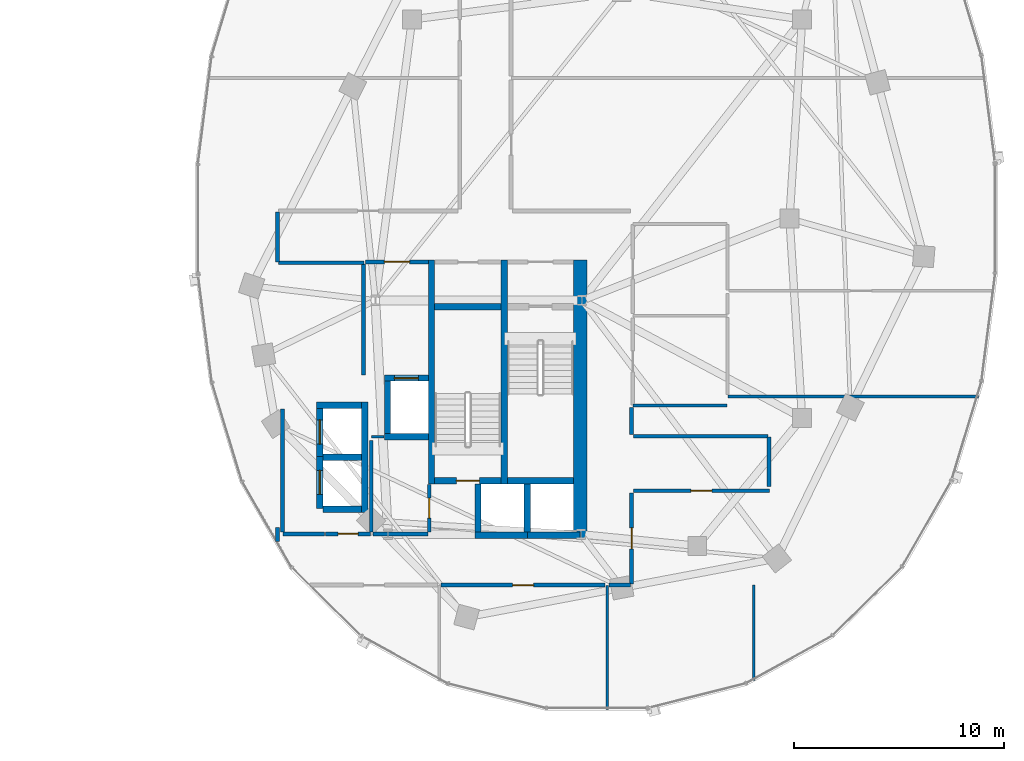
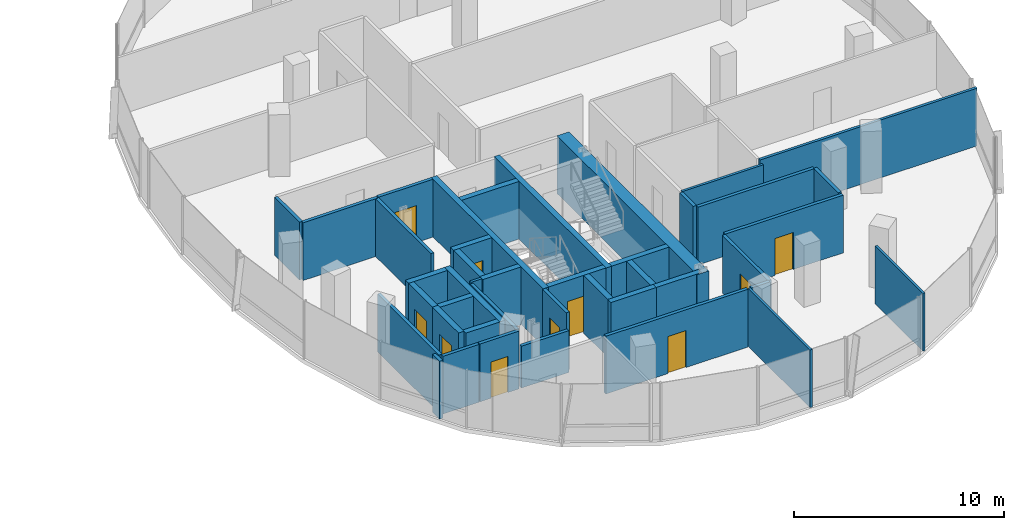
# One storey, part 14 of 23: 42 walls, 10 doors, 10 openings.
"""IFC4 building model written with IfcOpenShell, lengths in metres."""

from ifc_helpers import new_model, si_unit, direction, frame, frame_2d, origin, place, context, subcontext, project, spatial, rectangle, extrude, material, layer, layer_set, type_object, element, fill, save


model = new_model("IFC4")

# Units and contexts
model_context = context("Model", 3, precision=1e-05, world=origin(), true_north=direction((0.0, 1.0)))
body_context = subcontext(model_context, "Body", "Model", "MODEL_VIEW")
ifc_project = project(units=[si_unit("LENGTHUNIT", "METRE"), si_unit("AREAUNIT", "SQUARE_METRE"), si_unit("VOLUMEUNIT", "CUBIC_METRE"), si_unit("PLANEANGLEUNIT", "RADIAN"), si_unit("MASSUNIT", "GRAM", prefix="KILO"), si_unit("THERMODYNAMICTEMPERATUREUNIT", "KELVIN"), si_unit("POWERUNIT", "WATT")], contexts=[model_context])

# Site, building, storey
site_placement = place(None, origin())
site = spatial("IfcSite", under=ifc_project, at=site_placement, CompositionType="ELEMENT")
building_placement = place(site_placement, origin())
building = spatial("IfcBuilding", under=site, at=building_placement, Name="Cundina Bronze Exchange", CompositionType="ELEMENT")
storey_placement = place(building_placement, frame((0.0, 0.0, 172.800048828125)))
storey = spatial("IfcBuildingStorey", under=building, at=storey_placement, Name="L45", CompositionType="ELEMENT", Elevation=172.800048828125)

# Wall
ifc_material_1 = material(Name="Gypsum Fireboard Partition EI120")
ifc_layer_1 = layer(ifc_material_1, 0.179931640625, Name="Gypsum Fireboard Partition EI120")
ifc_layer_set_1 = layer_set([ifc_layer_1], Name="Gypsum Fireboard Partition EI120")
wall_type_1 = type_object("IfcWallType", Name="WL-COR-180", PredefinedType="PARTITIONING", material=ifc_layer_set_1)
wall_1_placement = place(storey_placement, frame((20.889892578125, -7.449951171875, 0.0), z_axis=(0.0, 0.0, 1.0), x_axis=(0.0, 1.0, 0.0)))
element("IfcWall", 1, at=wall_1_placement, inside=storey, type_object=wall_type_1, Name="L45 E Firefighting Lobby Side Wall", PredefinedType="PARTITIONING", context=body_context, shape_type="SweptSolid", body=[
    extrude(rectangle(XDim=5.300048828125, YDim=0.179931640625, at=frame_2d((2.64990234375, 0.0))), origin(), (0.0, 0.0, 1.0), 3.35986328125),
])

# Wall, opening, door
wall_2_placement = place(storey_placement, frame((20.97998046875, -2.06005859375, 0.0), z_axis=(0.0, 0.0, 1.0), x_axis=(1.0, 0.0, 0.0)))
wall_2 = element("IfcWall", 2, at=wall_2_placement, inside=storey, type_object=wall_type_1, Name="L45 E Firefighting Lobby Exit Wall", PredefinedType="PARTITIONING", context=body_context, shape_type="SweptSolid", body=[
    extrude(rectangle(XDim=3.0, YDim=0.179931640625, at=frame_2d((1.5, 0.0))), origin(), (0.0, 0.0, 1.0), 3.35986328125),
])
opening_1_placement = place(wall_2_placement, frame((0.89990234375, 0.0, 0.0)))
opening_1 = element("IfcOpeningElement", 3, at=opening_1_placement, cuts=wall_2, Name="Opening DF-01", PredefinedType="OPENING", context=body_context, shape_type="SweptSolid", body=[
    extrude(rectangle(XDim=1.199951171875, YDim=2.14990234375, at=frame_2d((0.60009765625, 1.074951171875))), frame((0.0, 0.099853515625, 0.0), z_axis=(0.0, -1.0, 0.0), x_axis=(1.0, 0.0, 0.0)), (0.0, 0.0, 1.0), 0.199951171875),
])
ifc_material_2 = material(Name="Steel ASTM A36 Painted", Category="steel")
door_type_1 = type_object("IfcDoorType", Name="DR-FFL-1200", OperationType="NOTDEFINED", PredefinedType="DOOR", material=ifc_material_2)
door_1_placement = place(opening_1_placement, origin())
door_1 = element("IfcDoor", 4, at=door_1_placement, inside=storey, type_object=door_type_1, Name="L45 E Firefighting Lobby Door", OperationType="SINGLE_SWING_LEFT", OverallHeight=2.14990234375, OverallWidth=1.199951171875, PredefinedType="DOOR", context=body_context, shape_type="SweptSolid", body=[
    extrude(rectangle(XDim=1.199951171875, YDim=2.14990234375, at=frame_2d((0.60009765625, 1.074951171875))), frame((0.0, 0.02490234375, 0.0), z_axis=(0.0, -1.0, 0.0), x_axis=(1.0, 0.0, 0.0)), (0.0, 0.0, 1.0), 0.050048828125),
])
fill(opening_1, door_1)

# Walls
wall_3_placement = place(storey_placement, frame((17.02001953125, -14.929931640625, 0.0), z_axis=(0.0, 0.0, 1.0), x_axis=(0.0, 1.0, 0.0)))
element("IfcWall", 5, at=wall_3_placement, inside=storey, type_object=wall_type_1, Name="L45 Interior Partition 045", PredefinedType="PARTITIONING", context=body_context, shape_type="SweptSolid", body=[
    extrude(rectangle(XDim=5.85986328125, YDim=0.179931640625, at=frame_2d((2.929931640625, 0.0))), origin(), (0.0, 0.0, 1.0), 3.35986328125),
])
wall_4_placement = place(storey_placement, frame((17.0400390625, -15.030029296875, 0.0), z_axis=(0.0, 0.0, 1.0), x_axis=(1.0, 0.0, 0.0)))
element("IfcWall", 6, at=wall_4_placement, inside=storey, type_object=wall_type_1, Name="L45 Interior Partition 046", PredefinedType="PARTITIONING", context=body_context, shape_type="SweptSolid", body=[
    extrude(rectangle(XDim=1.989990234375, YDim=0.179931640625, at=frame_2d((0.9951171875, 0.0))), origin(), (0.0, 0.0, 1.0), 3.35986328125),
])

# Wall, opening, door
wall_5_placement = place(storey_placement, frame((21.22998046875, -15.030029296875, 0.0), z_axis=(0.0, 0.0, 1.0), x_axis=(-1.0, 0.0, 0.0)))
wall_5 = element("IfcWall", 7, at=wall_5_placement, inside=storey, type_object=wall_type_1, Name="L45 Interior Partition 047", PredefinedType="PARTITIONING", context=body_context, shape_type="SweptSolid", body=[
    extrude(rectangle(XDim=2.159912109375, YDim=0.179931640625, at=frame_2d((1.080078125, 0.0))), origin(), (0.0, 0.0, 1.0), 3.35986328125),
])
opening_2_placement = place(wall_5_placement, frame((0.60498046875, 0.0, 0.0)))
opening_2 = element("IfcOpeningElement", 8, at=opening_2_placement, cuts=wall_5, Name="Opening DW-01", PredefinedType="OPENING", context=body_context, shape_type="SweptSolid", body=[
    extrude(rectangle(XDim=0.949951171875, YDim=2.10009765625, at=frame_2d((0.47509765625, 1.050048828125))), frame((0.0, 0.099853515625, 0.0), z_axis=(0.0, -1.0, 0.0), x_axis=(1.0, 0.0, 0.0)), (0.0, 0.0, 1.0), 0.199951171875),
])
ifc_material_3 = material(Name="Solid Andean Oak Timber Grade A", Category="wood")
door_type_2 = type_object("IfcDoorType", Name="DR-WC-950", OperationType="NOTDEFINED", PredefinedType="DOOR", material=ifc_material_3)
door_2_placement = place(opening_2_placement, origin())
door_2 = element("IfcDoor", 9, at=door_2_placement, inside=storey, type_object=door_type_2, Name="L45 Interior Door 047", OperationType="SINGLE_SWING_LEFT", OverallHeight=2.10009765625, OverallWidth=0.949951171875, PredefinedType="DOOR", context=body_context, shape_type="SweptSolid", body=[
    extrude(rectangle(XDim=0.949951171875, YDim=2.10009765625, at=frame_2d((0.47509765625, 1.050048828125))), frame((0.0, 0.02490234375, 0.0), z_axis=(0.0, -1.0, 0.0), x_axis=(1.0, 0.0, 0.0)), (0.0, 0.0, 1.0), 0.050048828125),
])
fill(opening_2, door_2)

# Walls
wall_6_placement = place(storey_placement, frame((21.25, -14.929931640625, 0.0), z_axis=(0.0, 0.0, 1.0), x_axis=(0.0, 1.0, 0.0)))
element("IfcWall", 10, at=wall_6_placement, inside=storey, type_object=wall_type_1, Name="L45 Interior Partition 049", PredefinedType="PARTITIONING", context=body_context, shape_type="SweptSolid", body=[
    extrude(rectangle(XDim=4.35986328125, YDim=0.179931640625, at=frame_2d((2.179931640625, 0.0))), origin(), (0.0, 0.0, 1.0), 3.35986328125),
])
wall_7_placement = place(storey_placement, frame((21.35009765625, -15.030029296875, 0.0), z_axis=(0.0, 0.0, 1.0), x_axis=(1.0, 0.0, 0.0)))
element("IfcWall", 11, at=wall_7_placement, inside=storey, type_object=wall_type_1, Name="L45 Interior Partition 050", PredefinedType="PARTITIONING", context=body_context, shape_type="SweptSolid", body=[
    extrude(rectangle(XDim=2.60986328125, YDim=0.179931640625, at=frame_2d((1.304931640625, 0.0))), origin(), (0.0, 0.0, 1.0), 2.432861328125),
])

# Wall, opening, door
wall_8_placement = place(storey_placement, frame((24.02001953125, -14.929931640625, 0.0), z_axis=(0.0, 0.0, 1.0), x_axis=(0.0, 1.0, 0.0)))
wall_8 = element("IfcWall", 12, at=wall_8_placement, inside=storey, type_object=wall_type_1, Name="L45 Interior Partition 052", PredefinedType="PARTITIONING", context=body_context, shape_type="SweptSolid", body=[
    extrude(rectangle(XDim=2.260009765625, YDim=0.179931640625, at=frame_2d((1.1298828125, 0.0))), origin(), (0.0, 0.0, 1.0), 3.35986328125),
])
opening_3_placement = place(wall_8_placement, frame((0.655029296875, 0.0, 0.0)))
opening_3 = element("IfcOpeningElement", 13, at=opening_3_placement, cuts=wall_8, Name="Opening DW-01", PredefinedType="OPENING", context=body_context, shape_type="SweptSolid", body=[
    extrude(rectangle(XDim=0.949951171875, YDim=2.10009765625, at=frame_2d((0.47509765625, 1.050048828125))), frame((0.0, 0.099853515625, 0.0), z_axis=(0.0, -1.0, 0.0), x_axis=(1.0, 0.0, 0.0)), (0.0, 0.0, 1.0), 0.199951171875),
])
door_3_placement = place(opening_3_placement, origin())
door_3 = element("IfcDoor", 14, at=door_3_placement, inside=storey, type_object=door_type_2, Name="L45 Interior Door 052", OperationType="SINGLE_SWING_LEFT", OverallHeight=2.10009765625, OverallWidth=0.949951171875, PredefinedType="DOOR", context=body_context, shape_type="SweptSolid", body=[
    extrude(rectangle(XDim=0.949951171875, YDim=2.10009765625, at=frame_2d((0.47509765625, 1.050048828125))), frame((0.0, 0.02490234375, 0.0), z_axis=(0.0, -1.0, 0.0), x_axis=(1.0, 0.0, 0.0)), (0.0, 0.0, 1.0), 0.050048828125),
])
fill(opening_3, door_3)

wall_9_placement = place(storey_placement, frame((24.590087890625, -17.469970703125, 0.0), z_axis=(0.0, 0.0, 1.0), x_axis=(1.0, 0.0, 0.0)))
wall_9 = element("IfcWall", 15, at=wall_9_placement, inside=storey, type_object=wall_type_1, Name="L45 Interior Partition 067", PredefinedType="PARTITIONING", context=body_context, shape_type="SweptSolid", body=[
    extrude(rectangle(XDim=7.81982421875, YDim=0.179931640625, at=frame_2d((3.909912109375, 0.0))), origin(), (0.0, 0.0, 1.0), 3.35986328125),
])
opening_4_placement = place(wall_9_placement, frame((3.409912109375, 0.0, 0.0)))
opening_4 = element("IfcOpeningElement", 16, at=opening_4_placement, cuts=wall_9, Name="Opening DO-01", PredefinedType="OPENING", context=body_context, shape_type="SweptSolid", body=[
    extrude(rectangle(XDim=1.0, YDim=2.14990234375, at=frame_2d((0.5, 1.074951171875))), frame((0.0, 0.099853515625, 0.0), z_axis=(0.0, -1.0, 0.0), x_axis=(1.0, 0.0, 0.0)), (0.0, 0.0, 1.0), 0.199951171875),
])
door_type_3 = type_object("IfcDoorType", Name="DR-OFF-1000", OperationType="NOTDEFINED", PredefinedType="DOOR", material=ifc_material_3)
door_4_placement = place(opening_4_placement, origin())
door_4 = element("IfcDoor", 17, at=door_4_placement, inside=storey, type_object=door_type_3, Name="L45 Interior Door 067", OperationType="SINGLE_SWING_RIGHT", OverallHeight=2.14990234375, OverallWidth=1.0, PredefinedType="DOOR", context=body_context, shape_type="SweptSolid", body=[
    extrude(rectangle(XDim=1.0, YDim=2.14990234375, at=frame_2d((0.5, 1.074951171875))), frame((0.0, 0.02490234375, 0.0), z_axis=(0.0, -1.0, 0.0), x_axis=(1.0, 0.0, 0.0)), (0.0, 0.0, 1.0), 0.050048828125),
])
fill(opening_4, door_4)

wall_10_placement = place(storey_placement, frame((33.669921875, -17.428466796875, 0.0), z_axis=(0.0, 0.0, 1.0), x_axis=(0.0, 1.0, 0.0)))
wall_10 = element("IfcWall", 18, at=wall_10_placement, inside=storey, type_object=wall_type_1, Name="L45 Interior Partition 069", PredefinedType="PARTITIONING", context=body_context, shape_type="SweptSolid", body=[
    extrude(rectangle(XDim=4.3583984375, YDim=0.179931640625, at=frame_2d((2.17919921875, 0.0))), origin(), (0.0, 0.0, 1.0), 3.35986328125),
])
opening_5_placement = place(wall_10_placement, frame((1.67919921875, 0.0, 0.0)))
opening_5 = element("IfcOpeningElement", 19, at=opening_5_placement, cuts=wall_10, Name="Opening DO-01", PredefinedType="OPENING", context=body_context, shape_type="SweptSolid", body=[
    extrude(rectangle(XDim=1.0, YDim=2.14990234375, at=frame_2d((0.5, 1.074951171875))), frame((0.0, 0.099853515625, 0.0), z_axis=(0.0, -1.0, 0.0), x_axis=(1.0, 0.0, 0.0)), (0.0, 0.0, 1.0), 0.199951171875),
])
door_5_placement = place(opening_5_placement, origin())
door_5 = element("IfcDoor", 20, at=door_5_placement, inside=storey, type_object=door_type_3, Name="L45 Interior Door 069", OperationType="SINGLE_SWING_LEFT", OverallHeight=2.14990234375, OverallWidth=1.0, PredefinedType="DOOR", context=body_context, shape_type="SweptSolid", body=[
    extrude(rectangle(XDim=1.0, YDim=2.14990234375, at=frame_2d((0.5, 1.074951171875))), frame((0.0, 0.02490234375, 0.0), z_axis=(0.0, -1.0, 0.0), x_axis=(1.0, 0.0, 0.0)), (0.0, 0.0, 1.0), 0.050048828125),
])
fill(opening_5, door_5)

# Wall
wall_11_placement = place(storey_placement, frame((32.590087890625, -17.469970703125, 0.0), z_axis=(0.0, 0.0, 1.0), x_axis=(1.0, 0.0, 0.0)))
element("IfcWall", 21, at=wall_11_placement, inside=storey, type_object=wall_type_1, Name="L45 Interior Partition 070", PredefinedType="PARTITIONING", context=body_context, shape_type="SweptSolid", body=[
    extrude(rectangle(XDim=1.038330078125, YDim=0.179931640625, at=frame_2d((0.51904296875, 0.0))), origin(), (0.0, 0.0, 1.0), 3.35986328125),
])

# Wall, opening, door
wall_12_placement = place(storey_placement, frame((40.238525390625, -12.969970703125, 0.0), z_axis=(0.0, 0.0, 1.0), x_axis=(-1.0, 0.0, 0.0)))
wall_12 = element("IfcWall", 22, at=wall_12_placement, inside=storey, type_object=wall_type_1, Name="L45 Interior Partition 071", PredefinedType="PARTITIONING", context=body_context, shape_type="SweptSolid", body=[
    extrude(rectangle(XDim=6.488525390625, YDim=0.179931640625, at=frame_2d((3.244140625, 0.0))), origin(), (0.0, 0.0, 1.0), 3.35986328125),
])
opening_6_placement = place(wall_12_placement, frame((2.744384765625, 0.0, 0.0)))
opening_6 = element("IfcOpeningElement", 23, at=opening_6_placement, cuts=wall_12, Name="Opening DO-01", PredefinedType="OPENING", context=body_context, shape_type="SweptSolid", body=[
    extrude(rectangle(XDim=1.0, YDim=2.14990234375, at=frame_2d((0.5, 1.074951171875))), frame((0.0, 0.099853515625, 0.0), z_axis=(0.0, -1.0, 0.0), x_axis=(1.0, 0.0, 0.0)), (0.0, 0.0, 1.0), 0.199951171875),
])
door_6_placement = place(opening_6_placement, origin())
door_6 = element("IfcDoor", 24, at=door_6_placement, inside=storey, type_object=door_type_3, Name="L45 Interior Door 071", OperationType="SINGLE_SWING_RIGHT", OverallHeight=2.14990234375, OverallWidth=1.0, PredefinedType="DOOR", context=body_context, shape_type="SweptSolid", body=[
    extrude(rectangle(XDim=1.0, YDim=2.14990234375, at=frame_2d((0.5, 1.074951171875))), frame((0.0, 0.02490234375, 0.0), z_axis=(0.0, -1.0, 0.0), x_axis=(1.0, 0.0, 0.0)), (0.0, 0.0, 1.0), 0.050048828125),
])
fill(opening_6, door_6)

# Walls
wall_13_placement = place(storey_placement, frame((40.178466796875, -10.3798828125, 0.0), z_axis=(0.0, 0.0, 1.0), x_axis=(-1.0, 0.0, 0.0)))
element("IfcWall", 25, at=wall_13_placement, inside=storey, type_object=wall_type_1, Name="L45 Interior Partition 072", PredefinedType="PARTITIONING", context=body_context, shape_type="SweptSolid", body=[
    extrude(rectangle(XDim=6.428466796875, YDim=0.179931640625, at=frame_2d((3.21435546875, 0.0))), origin(), (0.0, 0.0, 1.0), 3.35986328125),
])
wall_14_placement = place(storey_placement, frame((40.219970703125, -12.778564453125, 0.0), z_axis=(0.0, 0.0, 1.0), x_axis=(0.0, 1.0, 0.0)))
element("IfcWall", 26, at=wall_14_placement, inside=storey, type_object=wall_type_1, Name="L45 Interior Partition 073", PredefinedType="PARTITIONING", context=body_context, shape_type="SweptSolid", body=[
    extrude(rectangle(XDim=2.357177734375, YDim=0.179931640625, at=frame_2d((1.1787109375, 0.0))), origin(), (0.0, 0.0, 1.0), 3.35986328125),
])
wall_15_placement = place(storey_placement, frame((33.669921875, -10.300048828125, 0.0), z_axis=(0.0, 0.0, 1.0), x_axis=(0.0, 1.0, 0.0)))
element("IfcWall", 27, at=wall_15_placement, inside=storey, type_object=wall_type_1, Name="L45 Interior Partition 074", PredefinedType="PARTITIONING", context=body_context, shape_type="SweptSolid", body=[
    extrude(rectangle(XDim=1.298583984375, YDim=0.179931640625, at=frame_2d((0.6494140625, 0.0))), origin(), (0.0, 0.0, 1.0), 3.35986328125),
])
wall_16_placement = place(storey_placement, frame((16.821533203125, -2.10009765625, 0.0), z_axis=(0.0, 0.0, 1.0), x_axis=(1.0, 0.0, 0.0)))
element("IfcWall", 28, at=wall_16_placement, inside=storey, type_object=wall_type_1, Name="L45 Interior Partition 077", PredefinedType="PARTITIONING", context=body_context, shape_type="SweptSolid", body=[
    extrude(rectangle(XDim=4.098388671875, YDim=0.179931640625, at=frame_2d((2.04931640625, 0.0))), origin(), (0.0, 0.0, 1.0), 3.35986328125),
])
wall_17_placement = place(storey_placement, frame((16.780029296875, 0.32861328125, 0.0), z_axis=(0.0, 0.0, 1.0), x_axis=(0.0, -1.0, 0.0)))
element("IfcWall", 29, at=wall_17_placement, inside=storey, type_object=wall_type_1, Name="L45 Interior Partition 078", PredefinedType="PARTITIONING", context=body_context, shape_type="SweptSolid", body=[
    extrude(rectangle(XDim=2.38720703125, YDim=0.179931640625, at=frame_2d((1.193603515625, 0.0))), origin(), (0.0, 0.0, 1.0), 3.35986328125),
])
wall_18_placement = place(storey_placement, frame((16.780029296875, -14.721435546875, 0.0), z_axis=(0.0, 0.0, 1.0), x_axis=(0.0, -1.0, 0.0)))
element("IfcWall", 30, at=wall_18_placement, inside=storey, type_object=wall_type_1, Name="L45 Interior Partition 079", PredefinedType="PARTITIONING", context=body_context, shape_type="SweptSolid", body=[
    extrude(rectangle(XDim=0.68359375, YDim=0.179931640625, at=frame_2d((0.341796875, 0.0))), origin(), (0.0, 0.0, 1.0), 3.35986328125),
])
ifc_material_4 = material(Name="Concrete C50/60", Category="concrete")
ifc_layer_2 = layer(ifc_material_4, 0.64990234375, Name="Concrete C50/60", Category="concrete")
ifc_layer_set_2 = layer_set([ifc_layer_2], Name="Concrete C50/60")
wall_type_2 = type_object("IfcWallType", Name="WL-CORE-650", PredefinedType="SHEAR", material=ifc_layer_set_2)
wall_19_placement = place(storey_placement, frame((31.22509765625, -15.300048828125, 0.0), z_axis=(0.0, 0.0, 1.0), x_axis=(0.0, 1.0, 0.0)))
element("IfcWall", 31, at=wall_19_placement, inside=storey, type_object=wall_type_2, Name="L45 E Primary Core Shear Spine Wall", PredefinedType="SHEAR", context=body_context, shape_type="SweptSolid", body=[
    extrude(rectangle(XDim=13.330078125, YDim=0.64990234375, at=frame_2d((6.6650390625, 0.0))), origin(), (0.0, 0.0, 1.0), 3.35986328125),
])
ifc_material_5 = material(Name="Gypsum Acoustic Partition EI60")
ifc_layer_3 = layer(ifc_material_5, 0.125, Name="Gypsum Acoustic Partition EI60")
ifc_layer_set_3 = layer_set([ifc_layer_3], Name="Gypsum Acoustic Partition EI60")
wall_type_3 = type_object("IfcWallType", Name="WL-OFF-125", PredefinedType="PARTITIONING", material=ifc_layer_set_3)
wall_20_placement = place(storey_placement, frame((32.5, -23.402099609375, 0.0), z_axis=(0.0, 0.0, 1.0), x_axis=(0.0, 1.0, 0.0)))
element("IfcWall", 32, at=wall_20_placement, inside=storey, type_object=wall_type_3, Name="L45 Interior Partition 065", PredefinedType="PARTITIONING", context=body_context, shape_type="SweptSolid", body=[
    extrude(rectangle(XDim=5.902099609375, YDim=0.125, at=frame_2d((2.951171875, 0.0))), origin(), (0.0, 0.0, 1.0), 3.35986328125),
])
wall_21_placement = place(storey_placement, frame((39.5, -22.025146484375, 0.0), z_axis=(0.0, 0.0, 1.0), x_axis=(0.0, 1.0, 0.0)))
element("IfcWall", 33, at=wall_21_placement, inside=storey, type_object=wall_type_3, Name="L45 Interior Partition 066", PredefinedType="PARTITIONING", context=body_context, shape_type="SweptSolid", body=[
    extrude(rectangle(XDim=4.55517578125, YDim=0.125, at=frame_2d((2.277587890625, 0.0))), origin(), (0.0, 0.0, 1.0), 3.35986328125),
])
ifc_layer_4 = layer(ifc_material_4, 0.300048828125, Name="Concrete C50/60", Category="concrete")
ifc_layer_set_4 = layer_set([ifc_layer_4], Name="Concrete C50/60")
wall_type_4 = type_object("IfcWallType", Name="WL-SHFT-300", PredefinedType="SHEAR", material=ifc_layer_set_4)
for number, where, z_axis, x_axis, name in (
    (34, (27.590087890625, -12.64990234375, 0.0), (0.0, 0.0, 1.0), (0.0, 1.0, 0.0), "L45 E Stair Shaft Dividing Shear Wall"),
    (35, (24.1298828125, -12.64990234375, 0.0), (0.0, 0.0, 1.0), (0.0, 1.0, 0.0), "L45 E Stair 2 East Shear Wall"),
):
    element("IfcWall", number, at=place(storey_placement, frame(where, z_axis=z_axis, x_axis=x_axis)), inside=storey, type_object=wall_type_4, Name=name, PredefinedType="SHEAR", context=body_context, shape_type="SweptSolid", body=[
        extrude(rectangle(XDim=10.679931640625, YDim=0.300048828125, at=frame_2d((5.33984375, 0.0))), origin(), (0.0, 0.0, 1.0), 3.35986328125),
    ])
wall_22_placement = place(storey_placement, frame((27.739990234375, -12.5, 0.0), z_axis=(0.0, 0.0, 1.0), x_axis=(1.0, 0.0, 0.0)))
element("IfcWall", 36, at=wall_22_placement, inside=storey, type_object=wall_type_4, Name="L45 Stair E1 Far Shaft Wall", PredefinedType="SHEAR", context=body_context, shape_type="SweptSolid", body=[
    extrude(rectangle(XDim=3.159912109375, YDim=0.300048828125, at=frame_2d((1.580078125, 0.0))), origin(), (0.0, 0.0, 1.0), 3.35986328125),
])

# Wall, opening, door
wall_23_placement = place(storey_placement, frame((24.280029296875, -12.5, 0.0), z_axis=(0.0, 0.0, 1.0), x_axis=(1.0, 0.0, 0.0)))
wall_23 = element("IfcWall", 37, at=wall_23_placement, inside=storey, type_object=wall_type_4, Name="L45 Stair E2 Landing Wall", PredefinedType="SHEAR", context=body_context, shape_type="SweptSolid", body=[
    extrude(rectangle(XDim=3.159912109375, YDim=0.300048828125, at=frame_2d((1.580078125, 0.0))), origin(), (0.0, 0.0, 1.0), 3.35986328125),
])
opening_7_placement = place(wall_23_placement, frame((1.030029296875, 0.0, 0.0)))
opening_7 = element("IfcOpeningElement", 38, at=opening_7_placement, cuts=wall_23, Name="Opening DS-01", PredefinedType="OPENING", context=body_context, shape_type="SweptSolid", body=[
    extrude(rectangle(XDim=1.10009765625, YDim=2.14990234375, at=frame_2d((0.550048828125, 1.074951171875))), frame((0.0, 0.159912109375, 0.0), z_axis=(0.0, -1.0, 0.0), x_axis=(1.0, 0.0, 0.0)), (0.0, 0.0, 1.0), 0.320068359375),
])
door_type_4 = type_object("IfcDoorType", Name="DR-STR-1100", OperationType="NOTDEFINED", PredefinedType="DOOR", material=ifc_material_2)
door_7_placement = place(opening_7_placement, origin())
door_7 = element("IfcDoor", 39, at=door_7_placement, inside=storey, type_object=door_type_4, Name="L45 Smokeproof Stair E2 Door", OperationType="SINGLE_SWING_RIGHT", OverallHeight=2.14990234375, OverallWidth=1.10009765625, PredefinedType="DOOR", context=body_context, shape_type="SweptSolid", body=[
    extrude(rectangle(XDim=1.10009765625, YDim=2.14990234375, at=frame_2d((0.550048828125, 1.074951171875))), frame((0.0, 0.02490234375, 0.0), z_axis=(0.0, -1.0, 0.0), x_axis=(1.0, 0.0, 0.0)), (0.0, 0.0, 1.0), 0.050048828125),
])
fill(opening_7, door_7)

# Wall
wall_24_placement = place(storey_placement, frame((24.280029296875, -4.199951171875, 0.0), z_axis=(0.0, 0.0, 1.0), x_axis=(1.0, 0.0, 0.0)))
element("IfcWall", 40, at=wall_24_placement, inside=storey, type_object=wall_type_4, Name="L45 Stair E2 Far Shaft Wall", PredefinedType="SHEAR", context=body_context, shape_type="SweptSolid", body=[
    extrude(rectangle(XDim=3.159912109375, YDim=0.300048828125, at=frame_2d((1.580078125, 0.0))), origin(), (0.0, 0.0, 1.0), 3.35986328125),
])

# Wall, opening, door
wall_25_placement = place(storey_placement, frame((21.8798828125, -7.60009765625, 0.0), z_axis=(0.0, 0.0, 1.0), x_axis=(1.0, 0.0, 0.0)))
wall_25 = element("IfcWall", 41, at=wall_25_placement, inside=storey, type_object=wall_type_4, Name="L45 FFL-E Hoistway Front Wall", PredefinedType="SHEAR", context=body_context, shape_type="SweptSolid", body=[
    extrude(rectangle(XDim=2.10009765625, YDim=0.300048828125, at=frame_2d((1.050048828125, 0.0))), origin(), (0.0, 0.0, 1.0), 3.35986328125),
])
opening_8_placement = place(wall_25_placement, frame((0.47509765625, 0.0, 0.0)))
opening_8 = element("IfcOpeningElement", 42, at=opening_8_placement, cuts=wall_25, Name="Opening LD-01", PredefinedType="OPENING", context=body_context, shape_type="SweptSolid", body=[
    extrude(rectangle(XDim=1.14990234375, YDim=2.199951171875, at=frame_2d((0.574951171875, 1.10009765625))), frame((0.0, 0.159912109375, 0.0), z_axis=(0.0, -1.0, 0.0), x_axis=(1.0, 0.0, 0.0)), (0.0, 0.0, 1.0), 0.320068359375),
])
door_type_5 = type_object("IfcDoorType", Name="DR-LND-1150", OperationType="NOTDEFINED", PredefinedType="TRAPDOOR", material=ifc_material_2)
door_8_placement = place(opening_8_placement, origin())
door_8 = element("IfcDoor", 43, at=door_8_placement, inside=storey, type_object=door_type_5, Name="L45 FFL-E Sliding Landing Door", OperationType="SLIDING_TO_LEFT", OverallHeight=2.199951171875, OverallWidth=1.14990234375, PredefinedType="TRAPDOOR", context=body_context, shape_type="SweptSolid", body=[
    extrude(rectangle(XDim=1.14990234375, YDim=2.199951171875, at=frame_2d((0.574951171875, 1.10009765625))), frame((0.0, 0.02490234375, 0.0), z_axis=(0.0, -1.0, 0.0), x_axis=(1.0, 0.0, 0.0)), (0.0, 0.0, 1.0), 0.050048828125),
])
fill(opening_8, door_8)

# Walls
wall_26_placement = place(storey_placement, frame((21.8798828125, -10.39990234375, 0.0), z_axis=(0.0, 0.0, 1.0), x_axis=(1.0, 0.0, 0.0)))
element("IfcWall", 44, at=wall_26_placement, inside=storey, type_object=wall_type_4, Name="L45 FFL-E Hoistway Back Wall", PredefinedType="SHEAR", context=body_context, shape_type="SweptSolid", body=[
    extrude(rectangle(XDim=2.10009765625, YDim=0.300048828125, at=frame_2d((1.050048828125, 0.0))), origin(), (0.0, 0.0, 1.0), 3.35986328125),
])
for number, where, z_axis, x_axis, name in (
    (45, (22.030029296875, -10.25, 0.0), (0.0, 0.0, 1.0), (0.0, 1.0, 0.0), "L45 FFL-E Hoistway Side Wall"),
    (46, (28.699951171875, -15.10009765625, 0.0), (0.0, 0.0, 1.0), (1.0, 0.0, 0.0), "L45 PH-E1 Hoistway Front Wall"),
):
    element("IfcWall", number, at=place(storey_placement, frame(where, z_axis=z_axis, x_axis=x_axis)), inside=storey, type_object=wall_type_4, Name=name, PredefinedType="SHEAR", context=body_context, shape_type="SweptSolid", body=[
        extrude(rectangle(XDim=2.5, YDim=0.300048828125, at=frame_2d((1.25, 0.0))), origin(), (0.0, 0.0, 1.0), 3.35986328125),
    ])
wall_27_placement = place(storey_placement, frame((28.699951171875, -14.949951171875, 0.0), z_axis=(0.0, 0.0, 1.0), x_axis=(0.0, 1.0, 0.0)))
element("IfcWall", 47, at=wall_27_placement, inside=storey, type_object=wall_type_4, Name="L45 PH-E1 Hoistway Divider Wall", PredefinedType="SHEAR", context=body_context, shape_type="SweptSolid", body=[
    extrude(rectangle(XDim=2.300048828125, YDim=0.300048828125, at=frame_2d((1.14990234375, 0.0))), origin(), (0.0, 0.0, 1.0), 3.35986328125),
])
wall_28_placement = place(storey_placement, frame((26.199951171875, -15.10009765625, 0.0), z_axis=(0.0, 0.0, 1.0), x_axis=(1.0, 0.0, 0.0)))
element("IfcWall", 48, at=wall_28_placement, inside=storey, type_object=wall_type_4, Name="L45 PH-E2 Hoistway Front Wall", PredefinedType="SHEAR", context=body_context, shape_type="SweptSolid", body=[
    extrude(rectangle(XDim=2.5, YDim=0.300048828125, at=frame_2d((1.25, 0.0))), origin(), (0.0, 0.0, 1.0), 3.35986328125),
])
wall_29_placement = place(storey_placement, frame((26.35009765625, -14.949951171875, 0.0), z_axis=(0.0, 0.0, 1.0), x_axis=(0.0, 1.0, 0.0)))
element("IfcWall", 49, at=wall_29_placement, inside=storey, type_object=wall_type_4, Name="L45 PH-E2 Hoistway Divider Wall", PredefinedType="SHEAR", context=body_context, shape_type="SweptSolid", body=[
    extrude(rectangle(XDim=2.300048828125, YDim=0.300048828125, at=frame_2d((1.14990234375, 0.0))), origin(), (0.0, 0.0, 1.0), 3.35986328125),
])
wall_30_placement = place(storey_placement, frame((20.949951171875, -14.0, 0.0), z_axis=(0.0, 0.0, 1.0), x_axis=(0.0, 1.0, 0.0)))
element("IfcWall", 50, at=wall_30_placement, inside=storey, type_object=wall_type_4, Name="L45 E Passenger Bank Hoistway Back Wall", PredefinedType="SHEAR", context=body_context, shape_type="SweptSolid", body=[
    extrude(rectangle(XDim=5.25, YDim=0.300048828125, at=frame_2d((2.625, 0.0))), origin(), (0.0, 0.0, 1.0), 3.35986328125),
])
wall_31_placement = place(storey_placement, frame((18.949951171875, -13.85009765625, 0.0), z_axis=(0.0, 0.0, 1.0), x_axis=(1.0, 0.0, 0.0)))
element("IfcWall", 51, at=wall_31_placement, inside=storey, type_object=wall_type_4, Name="L45 E Passenger Bank South Cap Wall", PredefinedType="SHEAR", context=body_context, shape_type="SweptSolid", body=[
    extrude(rectangle(XDim=1.85009765625, YDim=0.300048828125, at=frame_2d((0.925048828125, 0.0))), origin(), (0.0, 0.0, 1.0), 3.35986328125),
])
wall_32_placement = place(storey_placement, frame((18.64990234375, -8.89990234375, 0.0), z_axis=(0.0, 0.0, 1.0), x_axis=(1.0, 0.0, 0.0)))
element("IfcWall", 52, at=wall_32_placement, inside=storey, type_object=wall_type_4, Name="L45 E Passenger Bank North Cap Wall", PredefinedType="SHEAR", context=body_context, shape_type="SweptSolid", body=[
    extrude(rectangle(XDim=2.150146484375, YDim=0.300048828125, at=frame_2d((1.0751953125, 0.0))), origin(), (0.0, 0.0, 1.0), 3.35986328125),
])
wall_33_placement = place(storey_placement, frame((18.949951171875, -11.375, 0.0), z_axis=(0.0, 0.0, 1.0), x_axis=(1.0, 0.0, 0.0)))
element("IfcWall", 53, at=wall_33_placement, inside=storey, type_object=wall_type_4, Name="L45 E Passenger Hoistway Divider 1", PredefinedType="SHEAR", context=body_context, shape_type="SweptSolid", body=[
    extrude(rectangle(XDim=1.85009765625, YDim=0.300048828125, at=frame_2d((0.925048828125, 0.0))), origin(), (0.0, 0.0, 1.0), 3.35986328125),
])

# Wall, opening, door
wall_34_placement = place(storey_placement, frame((18.800048828125, -13.820068359375, 0.0), z_axis=(0.0, 0.0, 1.0), x_axis=(0.0, 1.0, 0.0)))
wall_34 = element("IfcWall", 54, at=wall_34_placement, inside=storey, type_object=wall_type_4, Name="L45 PM-E1 Hoistway Front Wall", PredefinedType="SHEAR", context=body_context, shape_type="SweptSolid", body=[
    extrude(rectangle(XDim=2.489990234375, YDim=0.300048828125, at=frame_2d((1.2451171875, 0.0))), origin(), (0.0, 0.0, 1.0), 3.35986328125),
])
opening_9_placement = place(wall_34_placement, frame((0.669921875, 0.0, 0.0)))
opening_9 = element("IfcOpeningElement", 55, at=opening_9_placement, cuts=wall_34, Name="Opening LD-01", PredefinedType="OPENING", context=body_context, shape_type="SweptSolid", body=[
    extrude(rectangle(XDim=1.14990234375, YDim=2.199951171875, at=frame_2d((0.574951171875, 1.10009765625))), frame((0.0, 0.159912109375, 0.0), z_axis=(0.0, -1.0, 0.0), x_axis=(1.0, 0.0, 0.0)), (0.0, 0.0, 1.0), 0.320068359375),
])
door_9_placement = place(opening_9_placement, origin())
door_9 = element("IfcDoor", 56, at=door_9_placement, inside=storey, type_object=door_type_5, Name="L45 PM-E1 Sliding Landing Door", OperationType="SLIDING_TO_LEFT", OverallHeight=2.199951171875, OverallWidth=1.14990234375, PredefinedType="TRAPDOOR", context=body_context, shape_type="SweptSolid", body=[
    extrude(rectangle(XDim=1.14990234375, YDim=2.199951171875, at=frame_2d((0.574951171875, 1.10009765625))), frame((0.0, 0.02490234375, 0.0), z_axis=(0.0, -1.0, 0.0), x_axis=(1.0, 0.0, 0.0)), (0.0, 0.0, 1.0), 0.050048828125),
])
fill(opening_9, door_9)

wall_35_placement = place(storey_placement, frame((18.800048828125, -11.419921875, 0.0), z_axis=(0.0, 0.0, 1.0), x_axis=(0.0, 1.0, 0.0)))
wall_35 = element("IfcWall", 57, at=wall_35_placement, inside=storey, type_object=wall_type_4, Name="L45 PM-E2 Hoistway Front Wall", PredefinedType="SHEAR", context=body_context, shape_type="SweptSolid", body=[
    extrude(rectangle(XDim=2.489990234375, YDim=0.300048828125, at=frame_2d((1.2451171875, 0.0))), origin(), (0.0, 0.0, 1.0), 3.35986328125),
])
opening_10_placement = place(wall_35_placement, frame((0.669921875, 0.0, 0.0)))
opening_10 = element("IfcOpeningElement", 58, at=opening_10_placement, cuts=wall_35, Name="Opening LD-01", PredefinedType="OPENING", context=body_context, shape_type="SweptSolid", body=[
    extrude(rectangle(XDim=1.14990234375, YDim=2.199951171875, at=frame_2d((0.574951171875, 1.10009765625))), frame((0.0, 0.159912109375, 0.0), z_axis=(0.0, -1.0, 0.0), x_axis=(1.0, 0.0, 0.0)), (0.0, 0.0, 1.0), 0.320068359375),
])
door_10_placement = place(opening_10_placement, origin())
door_10 = element("IfcDoor", 59, at=door_10_placement, inside=storey, type_object=door_type_5, Name="L45 PM-E2 Sliding Landing Door", OperationType="SLIDING_TO_LEFT", OverallHeight=2.199951171875, OverallWidth=1.14990234375, PredefinedType="TRAPDOOR", context=body_context, shape_type="SweptSolid", body=[
    extrude(rectangle(XDim=1.14990234375, YDim=2.199951171875, at=frame_2d((0.574951171875, 1.10009765625))), frame((0.0, 0.02490234375, 0.0), z_axis=(0.0, -1.0, 0.0), x_axis=(1.0, 0.0, 0.0)), (0.0, 0.0, 1.0), 0.050048828125),
])
fill(opening_10, door_10)

# Walls
ifc_layer_5 = layer(ifc_material_5, 0.14990234375, Name="Gypsum Acoustic Partition EI60")
ifc_layer_set_5 = layer_set([ifc_layer_5], Name="Gypsum Acoustic Partition EI60")
wall_type_5 = type_object("IfcWallType", Name="WL-TEN-150", PredefinedType="PARTITIONING", material=ifc_layer_set_5)
wall_36_placement = place(storey_placement, frame((38.27001953125, -8.47998046875, 0.0), z_axis=(0.0, 0.0, 1.0), x_axis=(1.0, 0.0, 0.0)))
element("IfcWall", 60, at=wall_36_placement, inside=storey, type_object=wall_type_5, Name="L45 Interior Partition 063", PredefinedType="PARTITIONING", context=body_context, shape_type="SweptSolid", body=[
    extrude(rectangle(XDim=11.93603515625, YDim=0.14990234375, at=frame_2d((5.968017578125, 0.0))), origin(), (0.0, 0.0, 1.0), 3.35986328125),
])
ifc_material_6 = material(Name="Moisture-Resistant Masonry Block Grade M15", Category="masonry")
ifc_layer_6 = layer(ifc_material_6, 0.139892578125, Name="Moisture-Resistant Masonry Block Grade M15", Category="masonry")
ifc_layer_set_6 = layer_set([ifc_layer_6], Name="Moisture-Resistant Masonry Block Grade M15")
wall_type_6 = type_object("IfcWallType", Name="WL-WET-140", PredefinedType="PARTITIONING", material=ifc_layer_set_6)
wall_37_placement = place(storey_placement, frame((21.27001953125, -10.39990234375, 0.0), z_axis=(0.0, 0.0, 1.0), x_axis=(1.0, 0.0, 0.0)))
element("IfcWall", 61, at=wall_37_placement, inside=storey, type_object=wall_type_6, Name="L45 Interior Partition 048", PredefinedType="PARTITIONING", context=body_context, shape_type="SweptSolid", body=[
    extrude(rectangle(XDim=0.590087890625, YDim=0.139892578125, at=frame_2d((0.294921875, 0.0))), origin(), (0.0, 0.0, 1.0), 3.35986328125),
])
wall_38_placement = place(storey_placement, frame((33.739990234375, -8.909912109375, 0.0), z_axis=(0.0, 0.0, 1.0), x_axis=(1.0, 0.0, 0.0)))
element("IfcWall", 62, at=wall_38_placement, inside=storey, type_object=wall_type_6, Name="L45 Interior Partition 058", PredefinedType="PARTITIONING", context=body_context, shape_type="SweptSolid", body=[
    extrude(rectangle(XDim=4.47998046875, YDim=0.139892578125, at=frame_2d((2.239990234375, 0.0))), origin(), (0.0, 0.0, 1.0), 3.35986328125),
])

save(model, "model.ifc")
